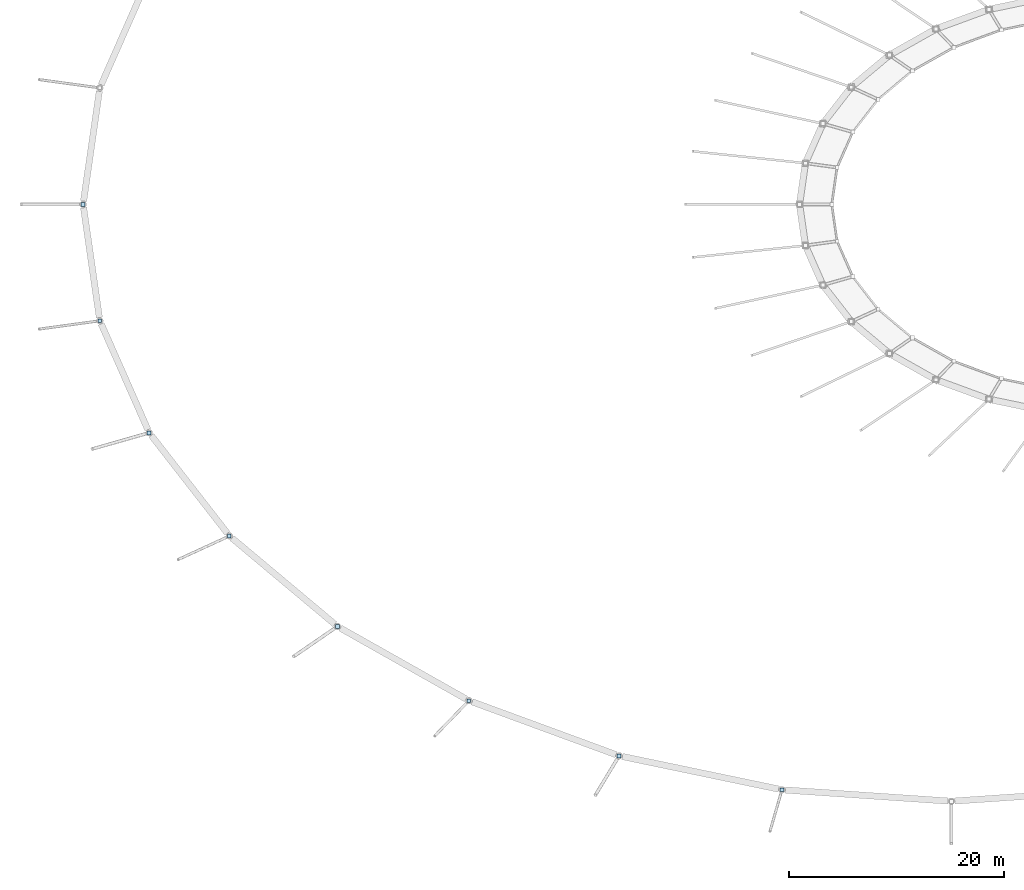
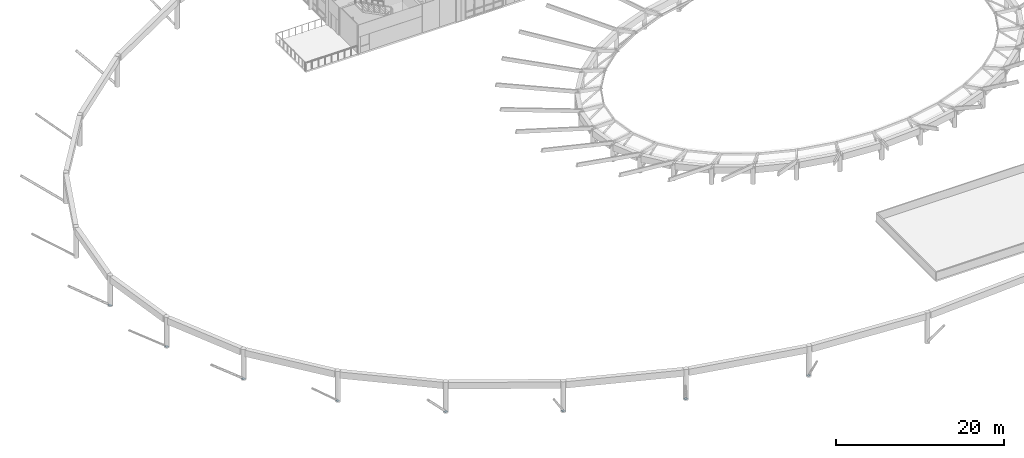
# One storey, part 18 of 37: 8 plates.
"""IFC4 building model written with IfcOpenShell, lengths in metres."""

from ifc_helpers import new_model, si_unit, direction, frame, origin, origin_2d, place, context, subcontext, project, spatial, rectangle, extrude, material, layer, layer_set, type_object, element, save


model = new_model("IFC4")

# Units and contexts
model_context = context("Model", 3, precision=1e-05, world=origin(), true_north=direction((0.0, 1.0)))
body_context = subcontext(model_context, "Body", "Model", "MODEL_VIEW")
ifc_project = project(units=[si_unit("LENGTHUNIT", "METRE"), si_unit("AREAUNIT", "SQUARE_METRE"), si_unit("VOLUMEUNIT", "CUBIC_METRE"), si_unit("PLANEANGLEUNIT", "RADIAN"), si_unit("MASSUNIT", "GRAM", prefix="KILO")], contexts=[model_context])

# Site, building, storey
site_placement = place(None, origin())
site = spatial("IfcSite", under=ifc_project, at=site_placement, CompositionType="ELEMENT")
building_placement = place(site_placement, origin())
building = spatial("IfcBuilding", under=site, at=building_placement, Name="Namkhue Oval Health Centre", CompositionType="ELEMENT")
storey_placement = place(building_placement, frame((0.0, 0.0, 22.199951171875)))
storey = spatial("IfcBuildingStorey", under=building, at=storey_placement, Name="L05", CompositionType="ELEMENT", Elevation=22.199951171875)

# Plates
ifc_material = material(Name="Structural steel EN 10025-2 S355JR (TCVN 5575:2024)", Category="steel")
ifc_layer_1 = layer(ifc_material, 0.02001953125)
ifc_layer_set_1 = layer_set([ifc_layer_1], Name="Structural steel EN 10025-2 S355JR (TCVN 5575:2024)")
plate_type_1 = type_object("IfcPlateType", Name="STEEL END CAP PLATE 340X340X20", PredefinedType="USERDEFINED", material=ifc_layer_set_1)
for number, where, z_axis, x_axis, name in (
    (1, (7.294189453125, 48.58203125, 0.087890625), (0.0, 0.0, 1.0), (1.0, 0.0, 0.0), "Outer Eaves Strut Lower Collar Plate 18"),
    (2, (19.3369140625, 28.593017578125, 0.08837890625), (0.0, 0.0, 1.0), (1.0, 0.0, 0.0), "Outer Eaves Strut Lower Collar Plate 20"),
    (3, (41.589111328125, 13.29345703125, 0.08935546875), (0.0, 0.0, 1.0), (1.0, 0.0, 0.0), "Outer Eaves Strut Lower Collar Plate 22"),
    (4, (70.664306640625, 5.012939453125, 0.09033203125), (0.0, 0.0, 1.0), (1.0, 0.0, 0.0), "Outer Eaves Strut Lower Collar Plate 24"),
):
    element("IfcPlate", number, at=place(storey_placement, frame(where, z_axis=z_axis, x_axis=x_axis)), inside=storey, type_object=plate_type_1, Name=name, ObjectType="BASE_PLATE", PredefinedType="USERDEFINED", context=body_context, shape_type="SweptSolid", body=[
        extrude(rectangle(XDim=0.340087890625, YDim=0.340087890625, at=origin_2d()), origin(), (0.0, 0.0, 1.0), 0.02001953125),
    ])
ifc_layer_2 = layer(ifc_material, 0.02197265625)
ifc_layer_set_2 = layer_set([ifc_layer_2], Name="Structural steel EN 10025-2 S355JR (TCVN 5575:2024)")
plate_type_2 = type_object("IfcPlateType", Name="STEEL END CAP PLATE 380X380X22", PredefinedType="USERDEFINED", material=ifc_layer_set_2)
for number, where, z_axis, x_axis, name in (
    (5, (5.74462890625, 59.39990234375, 0.0869140625), (0.0, 0.0, 1.0), (1.0, 0.0, 0.0), "Outer Eaves Strut Lower Collar Plate 17"),
    (6, (11.8837890625, 38.179931640625, 0.087158203125), (0.0, 0.0, 1.0), (1.0, 0.0, 0.0), "Outer Eaves Strut Lower Collar Plate 19"),
    (7, (29.3671875, 20.18994140625, 0.087890625), (0.0, 0.0, 1.0), (1.0, 0.0, 0.0), "Outer Eaves Strut Lower Collar Plate 21"),
    (8, (55.533447265625, 8.168701171875, 0.0888671875), (0.0, 0.0, 1.0), (1.0, 0.0, 0.0), "Outer Eaves Strut Lower Collar Plate 23"),
):
    element("IfcPlate", number, at=place(storey_placement, frame(where, z_axis=z_axis, x_axis=x_axis)), inside=storey, type_object=plate_type_2, Name=name, ObjectType="BASE_PLATE", PredefinedType="USERDEFINED", context=body_context, shape_type="SweptSolid", body=[
        extrude(rectangle(XDim=0.3798828125, YDim=0.3798828125, at=origin_2d()), origin(), (0.0, 0.0, 1.0), 0.02197265625),
    ])

save(model, "model.ifc")
